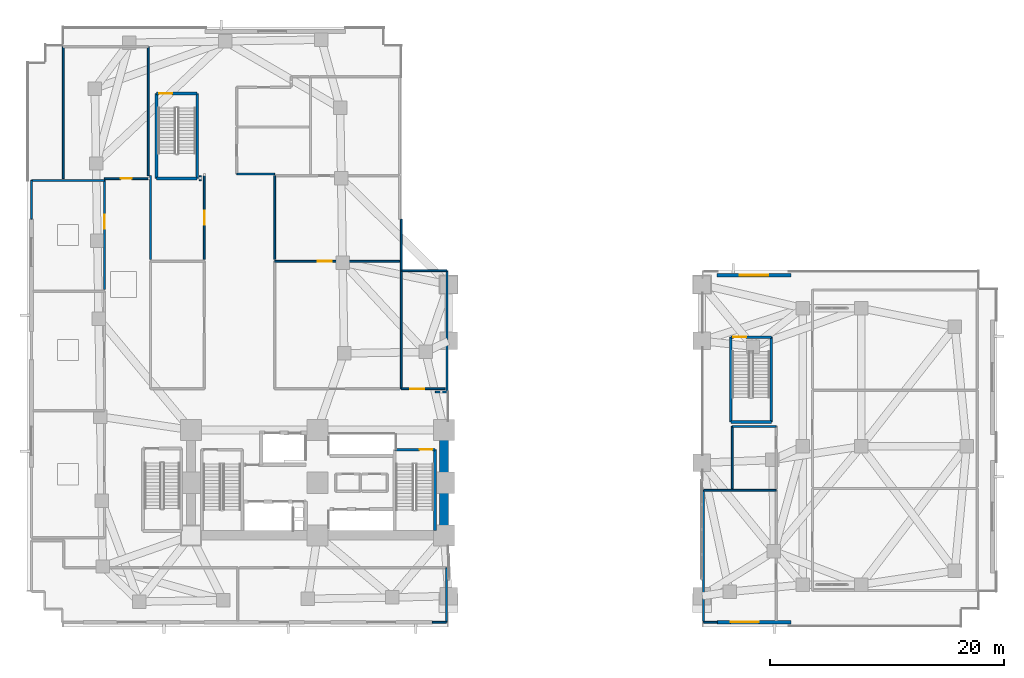
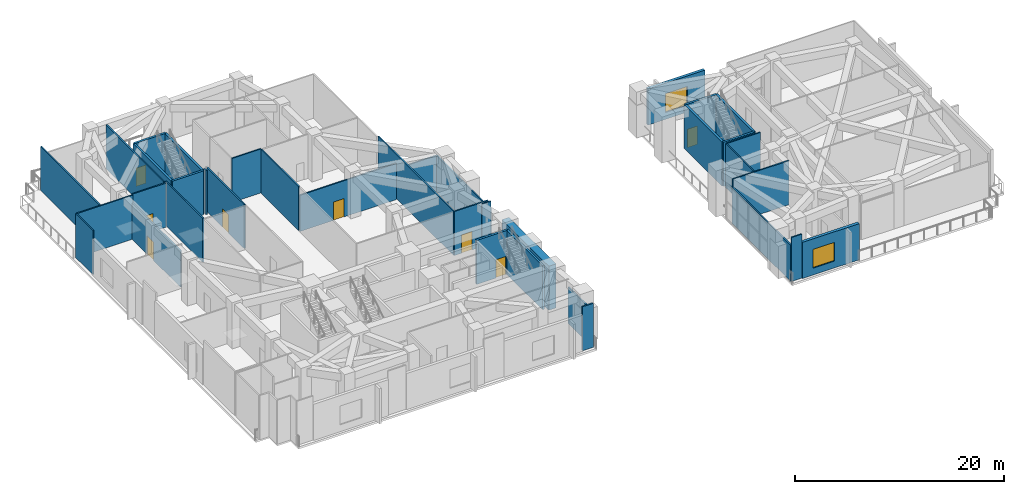
# One storey, part 9 of 18: 37 walls, 8 doors, 2 windows, 10 openings.
"""IFC4 building model written with IfcOpenShell, lengths in metres."""

from ifc_helpers import new_model, si_unit, direction, frame, frame_2d, origin, place, context, subcontext, project, spatial, rectangle, extrude, material, layer, layer_set, type_object, element, fill, save


model = new_model("IFC4")

# Units and contexts
model_context = context("Model", 3, precision=1e-05, world=origin(), true_north=direction((0.0, 1.0)))
body_context = subcontext(model_context, "Body", "Model", "MODEL_VIEW")
ifc_project = project(units=[si_unit("LENGTHUNIT", "METRE"), si_unit("AREAUNIT", "SQUARE_METRE"), si_unit("VOLUMEUNIT", "CUBIC_METRE"), si_unit("PLANEANGLEUNIT", "RADIAN"), si_unit("MASSUNIT", "GRAM", prefix="KILO")], contexts=[model_context])

# Site, building, storey
site_placement = place(None, origin())
site = spatial("IfcSite", under=ifc_project, at=site_placement, CompositionType="ELEMENT")
building_placement = place(site_placement, origin())
building = spatial("IfcBuilding", under=site, at=building_placement, Name="Gaonmaruhae Medical Tower", CompositionType="ELEMENT")
storey_placement = place(building_placement, frame((0.0, 0.0, 10.800048828125)))
storey = spatial("IfcBuildingStorey", under=building, at=storey_placement, Name="L02", CompositionType="ELEMENT", Elevation=10.800048828125)

# Wall
ifc_material_1 = material(Name="Concrete C60/75", Category="concrete")
ifc_layer_1 = layer(ifc_material_1, 0.800048828125)
ifc_layer_set_1 = layer_set([ifc_layer_1], Name="Concrete C60/75")
wall_type_1 = type_object("IfcWallType", Name="CW-800 Lower Core Shear Wall", PredefinedType="SHEAR", material=ifc_layer_set_1)
wall_1_placement = place(storey_placement, frame((35.60009765625, 7.800048828125, 0.0), z_axis=(0.0, 0.0, 1.0), x_axis=(0.0, 1.0, 0.0)))
element("IfcWall", 1, at=wall_1_placement, inside=storey, type_object=wall_type_1, Name="L02 Core Shear Wall CSW-E1", PredefinedType="SHEAR", context=body_context, shape_type="SweptSolid", body=[
    extrude(rectangle(XDim=9.0, YDim=0.800048828125, at=frame_2d((4.5, 0.0))), origin(), (0.0, 0.0, 1.0), 5.14990234375),
])

# Wall, opening, window
ifc_material_2 = material(Name="Precast concrete C45/55", Category="concrete")
ifc_layer_2 = layer(ifc_material_2, 0.320068359375)
ifc_layer_set_2 = layer_set([ifc_layer_2], Name="Precast concrete C45/55")
wall_type_2 = type_object("IfcWallType", Name="EW-320 Lower Precast Masonry-Frame Facade Wall", PredefinedType="SOLIDWALL", material=ifc_layer_set_2)
wall_2_placement = place(storey_placement, frame((65.199951171875, 0.39990234375, 0.0), z_axis=(0.0, 0.0, 1.0), x_axis=(-1.0, 0.0, 0.0)))
wall_2 = element("IfcWall", 2, at=wall_2_placement, inside=storey, type_object=wall_type_2, Name="L02 Precast Facade Wall PB-S4", PredefinedType="SOLIDWALL", context=body_context, shape_type="SweptSolid", body=[
    extrude(rectangle(XDim=6.300048828125, YDim=0.320068359375, at=frame_2d((3.14990234375, 0.0))), origin(), (0.0, 0.0, 1.0), 4.22998046875),
])
opening_1_placement = place(wall_2_placement, frame((2.739990234375, 0.0, 0.800048828125)))
opening_1 = element("IfcOpeningElement", 3, at=opening_1_placement, cuts=wall_2, Name="Opening WN-06", PredefinedType="OPENING", context=body_context, shape_type="SweptSolid", body=[
    extrude(rectangle(XDim=2.39990234375, YDim=2.199951171875, at=frame_2d((1.199951171875, 1.10009765625))), frame((0.0, 0.169921875, 0.0), z_axis=(0.0, -1.0, 0.0), x_axis=(1.0, 0.0, 0.0)), (0.0, 0.0, 1.0), 0.340087890625),
])
ifc_material_3 = material(Name="Anodised aluminium and Low-E double glazing", Category="aluminium")
window_type = type_object("IfcWindowType", Name="WN-06 Podium Diagnostic Punched Window 2400x2200", PartitioningType="SINGLE_PANEL", PredefinedType="WINDOW", material=ifc_material_3)
window_1_placement = place(opening_1_placement, origin())
window_1 = element("IfcWindow", 4, at=window_1_placement, inside=storey, type_object=window_type, Name="L02 Podium Punched Window PB-S4", OverallHeight=2.199951171875, OverallWidth=2.39990234375, PartitioningType="SINGLE_PANEL", PredefinedType="WINDOW", context=body_context, shape_type="SweptSolid", body=[
    extrude(rectangle(XDim=2.39990234375, YDim=2.199951171875, at=frame_2d((1.199951171875, 1.10009765625))), frame((0.0, 0.030029296875, 0.0), z_axis=(0.0, -1.0, 0.0), x_axis=(1.0, 0.0, 0.0)), (0.0, 0.0, 1.0), 0.06005859375),
])
fill(opening_1, window_1)

wall_3_placement = place(storey_placement, frame((58.89990234375, 30.0, 0.0), z_axis=(0.0, 0.0, 1.0), x_axis=(1.0, 0.0, 0.0)))
wall_3 = element("IfcWall", 5, at=wall_3_placement, inside=storey, type_object=wall_type_2, Name="L02 Precast Facade Wall PB-N1", PredefinedType="SOLIDWALL", context=body_context, shape_type="SweptSolid", body=[
    extrude(rectangle(XDim=6.300048828125, YDim=0.320068359375, at=frame_2d((3.14990234375, 0.0))), origin(), (0.0, 0.0, 1.0), 4.22998046875),
])
opening_2_placement = place(wall_3_placement, frame((1.949951171875, 0.0, 0.800048828125)))
opening_2 = element("IfcOpeningElement", 6, at=opening_2_placement, cuts=wall_3, Name="Opening WN-06", PredefinedType="OPENING", context=body_context, shape_type="SweptSolid", body=[
    extrude(rectangle(XDim=2.39990234375, YDim=2.199951171875, at=frame_2d((1.199951171875, 1.10009765625))), frame((0.0, 0.169921875, 0.0), z_axis=(0.0, -1.0, 0.0), x_axis=(1.0, 0.0, 0.0)), (0.0, 0.0, 1.0), 0.340087890625),
])
window_2_placement = place(opening_2_placement, origin())
window_2 = element("IfcWindow", 7, at=window_2_placement, inside=storey, type_object=window_type, Name="L02 Podium Punched Window PB-N1", OverallHeight=2.199951171875, OverallWidth=2.39990234375, PartitioningType="SINGLE_PANEL", PredefinedType="WINDOW", context=body_context, shape_type="SweptSolid", body=[
    extrude(rectangle(XDim=2.39990234375, YDim=2.199951171875, at=frame_2d((1.199951171875, 1.10009765625))), frame((0.0, 0.030029296875, 0.0), z_axis=(0.0, -1.0, 0.0), x_axis=(1.0, 0.0, 0.0)), (0.0, 0.0, 1.0), 0.06005859375),
])
fill(opening_2, window_2)

# Wall
ifc_material_4 = material(Name="Gypsum board partition", Category="gypsum")
ifc_layer_3 = layer(ifc_material_4, 0.14990234375)
ifc_layer_set_3 = layer_set([ifc_layer_3], Name="Gypsum board partition")
wall_type_3 = type_object("IfcWallType", Name="PW-150 Rated Clinical Corridor Partition", PredefinedType="PARTITIONING", material=ifc_layer_set_3)
wall_4_placement = place(storey_placement, frame((0.39990234375, 38.10009765625, 0.0), z_axis=(0.0, 0.0, 1.0), x_axis=(1.0, 0.0, 0.0)))
element("IfcWall", 8, at=wall_4_placement, inside=storey, type_object=wall_type_3, Name="L02 Interior Partition L02-WP3-15", PredefinedType="PARTITIONING", context=body_context, shape_type="SweptSolid", body=[
    extrude(rectangle(XDim=6.22021484375, YDim=0.14990234375, at=frame_2d((3.110107421875, 0.0))), origin(), (0.0, 0.0, 1.0), 5.14990234375),
])

# Wall, opening, door
wall_5_placement = place(storey_placement, frame((6.6201171875, 38.10009765625, 0.0), z_axis=(0.0, 0.0, 1.0), x_axis=(0.0, -1.0, 0.0)))
wall_5 = element("IfcWall", 9, at=wall_5_placement, inside=storey, type_object=wall_type_3, Name="L02 Interior Partition L02-WP3-16", PredefinedType="PARTITIONING", context=body_context, shape_type="SweptSolid", body=[
    extrude(rectangle(XDim=9.300048828125, YDim=0.14990234375, at=frame_2d((4.64990234375, 0.0))), origin(), (0.0, 0.0, 1.0), 4.23486328125),
])
opening_3_placement = place(wall_5_placement, frame((2.9189453125, 0.0, 0.0)))
opening_3 = element("IfcOpeningElement", 10, at=opening_3_placement, cuts=wall_5, Name="Opening CD-02", PredefinedType="OPENING", context=body_context, shape_type="SweptSolid", body=[
    extrude(rectangle(XDim=1.199951171875, YDim=2.14990234375, at=frame_2d((0.60009765625, 1.074951171875))), frame((0.0, 0.0849609375, 0.0), z_axis=(0.0, -1.0, 0.0), x_axis=(1.0, 0.0, 0.0)), (0.0, 0.0, 1.0), 0.169921875),
])
ifc_material_5 = material(Name="Antimicrobial laminate timber fire door", Category="wood")
door_type_1 = type_object("IfcDoorType", Name="CD-02 Clinical Treatment & Procedure Door 1200x2150", OperationType="NOTDEFINED", PredefinedType="DOOR", material=ifc_material_5)
door_1_placement = place(opening_3_placement, origin())
door_1 = element("IfcDoor", 11, at=door_1_placement, inside=storey, type_object=door_type_1, Name="L02 L02 Rehabilitation Physiotherapy Suite Door", OperationType="SINGLE_SWING_LEFT", OverallHeight=2.14990234375, OverallWidth=1.199951171875, PredefinedType="DOOR", context=body_context, shape_type="SweptSolid", body=[
    extrude(rectangle(XDim=1.199951171875, YDim=2.14990234375, at=frame_2d((0.60009765625, 1.074951171875))), frame((0.0, 0.02490234375, 0.0), z_axis=(0.0, -1.0, 0.0), x_axis=(1.0, 0.0, 0.0)), (0.0, 0.0, 1.0), 0.050048828125),
])
fill(opening_3, door_1)

# Walls
wall_6_placement = place(storey_placement, frame((0.39990234375, 34.800048828125, 0.0), z_axis=(0.0, 0.0, 1.0), x_axis=(0.0, 1.0, 0.0)))
element("IfcWall", 12, at=wall_6_placement, inside=storey, type_object=wall_type_3, Name="L02 Interior Partition L02-WP3-17", PredefinedType="PARTITIONING", context=body_context, shape_type="SweptSolid", body=[
    extrude(rectangle(XDim=3.300048828125, YDim=0.14990234375, at=frame_2d((1.64990234375, 0.0))), origin(), (0.0, 0.0, 1.0), 5.14990234375),
])
wall_7_placement = place(storey_placement, frame((35.85009765625, 30.39990234375, 0.0), z_axis=(0.0, 0.0, 1.0), x_axis=(0.0, -1.0, 0.0)))
element("IfcWall", 13, at=wall_7_placement, inside=storey, type_object=wall_type_3, Name="L02 Interior Partition L02-WP4-18", PredefinedType="PARTITIONING", context=body_context, shape_type="SweptSolid", body=[
    extrude(rectangle(XDim=10.349853515625, YDim=0.14990234375, at=frame_2d((5.1748046875, 0.0))), origin(), (0.0, 0.0, 1.0), 4.23486328125),
])
wall_8_placement = place(storey_placement, frame((35.85009765625, 20.050048828125, 0.0), z_axis=(0.0, 0.0, 1.0), x_axis=(-1.0, 0.0, 0.0)))
element("IfcWall", 14, at=wall_8_placement, inside=storey, type_object=wall_type_3, Name="L02 Interior Partition L02-WP4-19", PredefinedType="PARTITIONING", context=body_context, shape_type="SweptSolid", body=[
    extrude(rectangle(XDim=0.989990234375, YDim=0.14990234375, at=frame_2d((0.4951171875, 0.0))), origin(), (0.0, 0.0, 1.0), 5.14990234375),
])

# Wall, opening, door
wall_9_placement = place(storey_placement, frame((35.68994140625, 20.31005859375, 0.0), z_axis=(0.0, 0.0, 1.0), x_axis=(-1.0, 0.0, 0.0)))
wall_9 = element("IfcWall", 15, at=wall_9_placement, inside=storey, type_object=wall_type_3, Name="L02 Interior Partition L02-WP4-20", PredefinedType="PARTITIONING", context=body_context, shape_type="SweptSolid", body=[
    extrude(rectangle(XDim=3.739990234375, YDim=0.14990234375, at=frame_2d((1.8701171875, 0.0))), origin(), (0.0, 0.0, 1.0), 5.14990234375),
])
opening_4_placement = place(wall_9_placement, frame((1.7919921875, 0.0, 0.0)))
opening_4 = element("IfcOpeningElement", 16, at=opening_4_placement, cuts=wall_9, Name="Opening CD-02", PredefinedType="OPENING", context=body_context, shape_type="SweptSolid", body=[
    extrude(rectangle(XDim=1.199951171875, YDim=2.14990234375, at=frame_2d((0.60009765625, 1.074951171875))), frame((0.0, 0.0849609375, 0.0), z_axis=(0.0, -1.0, 0.0), x_axis=(1.0, 0.0, 0.0)), (0.0, 0.0, 1.0), 0.169921875),
])
door_2_placement = place(opening_4_placement, origin())
door_2 = element("IfcDoor", 17, at=door_2_placement, inside=storey, type_object=door_type_1, Name="L02 L02 Outpatient Ultrasound Room Door", OperationType="SINGLE_SWING_RIGHT", OverallHeight=2.14990234375, OverallWidth=1.199951171875, PredefinedType="DOOR", context=body_context, shape_type="SweptSolid", body=[
    extrude(rectangle(XDim=1.199951171875, YDim=2.14990234375, at=frame_2d((0.60009765625, 1.074951171875))), frame((0.0, 0.02490234375, 0.0), z_axis=(0.0, -1.0, 0.0), x_axis=(1.0, 0.0, 0.0)), (0.0, 0.0, 1.0), 0.050048828125),
])
fill(opening_4, door_2)

# Walls
wall_10_placement = place(storey_placement, frame((31.949951171875, 20.31005859375, 0.0), z_axis=(0.0, 0.0, 1.0), x_axis=(0.0, 1.0, 0.0)))
element("IfcWall", 18, at=wall_10_placement, inside=storey, type_object=wall_type_3, Name="L02 Interior Partition L02-WP4-21", PredefinedType="PARTITIONING", context=body_context, shape_type="SweptSolid", body=[
    extrude(rectangle(XDim=14.489990234375, YDim=0.14990234375, at=frame_2d((7.2451171875, 0.0))), origin(), (0.0, 0.0, 1.0), 5.14990234375),
])
wall_11_placement = place(storey_placement, frame((32.0, 30.39990234375, 0.0), z_axis=(0.0, 0.0, 1.0), x_axis=(1.0, 0.0, 0.0)))
element("IfcWall", 19, at=wall_11_placement, inside=storey, type_object=wall_type_3, Name="L02 Interior Partition L02-WP4-22", PredefinedType="PARTITIONING", context=body_context, shape_type="SweptSolid", body=[
    extrude(rectangle(XDim=3.85009765625, YDim=0.14990234375, at=frame_2d((1.925048828125, 0.0))), origin(), (0.0, 0.0, 1.0), 4.23486328125),
])
wall_12_placement = place(storey_placement, frame((57.75, 11.64990234375, 0.0), z_axis=(0.0, 0.0, 1.0), x_axis=(1.0, 0.0, 0.0)))
element("IfcWall", 20, at=wall_12_placement, inside=storey, type_object=wall_type_3, Name="L02 Interior Partition L02-EA4-33", PredefinedType="PARTITIONING", context=body_context, shape_type="SweptSolid", body=[
    extrude(rectangle(XDim=6.199951171875, YDim=0.14990234375, at=frame_2d((3.10009765625, 0.0))), origin(), (0.0, 0.0, 1.0), 5.14990234375),
])
wall_13_placement = place(storey_placement, frame((58.89990234375, 0.39990234375, 0.0), z_axis=(0.0, 0.0, 1.0), x_axis=(-1.0, 0.0, 0.0)))
element("IfcWall", 21, at=wall_13_placement, inside=storey, type_object=wall_type_3, Name="L02 Interior Partition L02-EA4-35", PredefinedType="PARTITIONING", context=body_context, shape_type="SweptSolid", body=[
    extrude(rectangle(XDim=1.14990234375, YDim=0.14990234375, at=frame_2d((0.574951171875, 0.0))), origin(), (0.0, 0.0, 1.0), 5.14990234375),
])
wall_14_placement = place(storey_placement, frame((57.75, 0.39990234375, 0.0), z_axis=(0.0, 0.0, 1.0), x_axis=(0.0, 1.0, 0.0)))
element("IfcWall", 22, at=wall_14_placement, inside=storey, type_object=wall_type_3, Name="L02 Interior Partition L02-EA4-36", PredefinedType="PARTITIONING", context=body_context, shape_type="SweptSolid", body=[
    extrude(rectangle(XDim=11.25, YDim=0.14990234375, at=frame_2d((5.625, 0.0))), origin(), (0.0, 0.0, 1.0), 4.23486328125),
])
wall_15_placement = place(storey_placement, frame((60.199951171875, 17.10009765625, 0.0), z_axis=(0.0, 0.0, 1.0), x_axis=(1.0, 0.0, 0.0)))
element("IfcWall", 23, at=wall_15_placement, inside=storey, type_object=wall_type_3, Name="L02 Interior Partition L02-EAW-37", PredefinedType="PARTITIONING", context=body_context, shape_type="SweptSolid", body=[
    extrude(rectangle(XDim=3.75, YDim=0.14990234375, at=frame_2d((1.875, 0.0))), origin(), (0.0, 0.0, 1.0), 5.14990234375),
])
wall_16_placement = place(storey_placement, frame((60.199951171875, 11.800048828125, 0.0), z_axis=(0.0, 0.0, 1.0), x_axis=(0.0, 1.0, 0.0)))
element("IfcWall", 24, at=wall_16_placement, inside=storey, type_object=wall_type_3, Name="L02 Interior Partition L02-EAW-39", PredefinedType="PARTITIONING", context=body_context, shape_type="SweptSolid", body=[
    extrude(rectangle(XDim=5.300048828125, YDim=0.14990234375, at=frame_2d((2.64990234375, 0.0))), origin(), (0.0, 0.0, 1.0), 5.14990234375),
])
wall_17_placement = place(storey_placement, frame((35.800048828125, 0.39990234375, 0.0), z_axis=(0.0, 0.0, 1.0), x_axis=(-1.0, 0.0, 0.0)))
element("IfcWall", 25, at=wall_17_placement, inside=storey, type_object=wall_type_3, Name="L02 Interior Partition L02-D2-51", PredefinedType="PARTITIONING", context=body_context, shape_type="SweptSolid", body=[
    extrude(rectangle(XDim=1.199951171875, YDim=0.14990234375, at=frame_2d((0.60009765625, 0.0))), origin(), (0.0, 0.0, 1.0), 5.14990234375),
])
wall_18_placement = place(storey_placement, frame((35.800048828125, 5.0400390625, 0.0), z_axis=(0.0, 0.0, 1.0), x_axis=(0.0, -1.0, 0.0)))
element("IfcWall", 26, at=wall_18_placement, inside=storey, type_object=wall_type_3, Name="L02 Interior Partition L02-D2-54", PredefinedType="PARTITIONING", context=body_context, shape_type="SweptSolid", body=[
    extrude(rectangle(XDim=4.64013671875, YDim=0.14990234375, at=frame_2d((2.320068359375, 0.0))), origin(), (0.0, 0.0, 1.0), 4.23486328125),
])

# Wall, opening, door
wall_19_placement = place(storey_placement, frame((21.14990234375, 31.199951171875, 0.0), z_axis=(0.0, 0.0, 1.0), x_axis=(1.0, 0.0, 0.0)))
wall_19 = element("IfcWall", 27, at=wall_19_placement, inside=storey, type_object=wall_type_3, Name="L02 Interior Partition L02-D4-59", PredefinedType="PARTITIONING", context=body_context, shape_type="SweptSolid", body=[
    extrude(rectangle(XDim=10.650146484375, YDim=0.14990234375, at=frame_2d((5.3251953125, 0.0))), origin(), (0.0, 0.0, 1.0), 4.23486328125),
])
opening_5_placement = place(wall_19_placement, frame((3.658203125, 0.0, 0.0)))
opening_5 = element("IfcOpeningElement", 28, at=opening_5_placement, cuts=wall_19, Name="Opening CD-02", PredefinedType="OPENING", context=body_context, shape_type="SweptSolid", body=[
    extrude(rectangle(XDim=1.199951171875, YDim=2.14990234375, at=frame_2d((0.60009765625, 1.074951171875))), frame((0.0, 0.0849609375, 0.0), z_axis=(0.0, -1.0, 0.0), x_axis=(1.0, 0.0, 0.0)), (0.0, 0.0, 1.0), 0.169921875),
])
door_3_placement = place(opening_5_placement, origin())
door_3 = element("IfcDoor", 29, at=door_3_placement, inside=storey, type_object=door_type_1, Name="L02 Outpatient Phlebotomy Laboratory Sliding Door", OperationType="SLIDING_TO_LEFT", OverallHeight=2.14990234375, OverallWidth=1.199951171875, PredefinedType="DOOR", context=body_context, shape_type="SweptSolid", body=[
    extrude(rectangle(XDim=1.199951171875, YDim=2.14990234375, at=frame_2d((0.60009765625, 1.074951171875))), frame((0.0, 0.02490234375, 0.0), z_axis=(0.0, -1.0, 0.0), x_axis=(1.0, 0.0, 0.0)), (0.0, 0.0, 1.0), 0.050048828125),
])
fill(opening_5, door_3)

# Walls
wall_20_placement = place(storey_placement, frame((10.550048828125, 31.35009765625, 0.0), z_axis=(0.0, 0.0, 1.0), x_axis=(0.0, 1.0, 0.0)))
element("IfcWall", 30, at=wall_20_placement, inside=storey, type_object=wall_type_3, Name="L02 Interior Partition L02-D5-62", PredefinedType="PARTITIONING", context=body_context, shape_type="SweptSolid", body=[
    extrude(rectangle(XDim=7.14990234375, YDim=0.14990234375, at=frame_2d((3.574951171875, 0.0))), origin(), (0.0, 0.0, 1.0), 5.14990234375),
])
wall_21_placement = place(storey_placement, frame((14.800048828125, 38.050048828125, 0.0), z_axis=(0.0, 0.0, 1.0), x_axis=(0.0, 1.0, 0.0)))
element("IfcWall", 31, at=wall_21_placement, inside=storey, type_object=wall_type_3, Name="L02 Interior Partition L02-D5-63", PredefinedType="PARTITIONING", context=body_context, shape_type="SweptSolid", body=[
    extrude(rectangle(XDim=0.449951171875, YDim=0.14990234375, at=frame_2d((0.22509765625, 0.0))), origin(), (0.0, 0.0, 1.0), 5.14990234375),
])

# Wall, opening, door
wall_22_placement = place(storey_placement, frame((15.139892578125, 38.5, 0.0), z_axis=(0.0, 0.0, 1.0), x_axis=(0.0, -1.0, 0.0)))
wall_22 = element("IfcWall", 32, at=wall_22_placement, inside=storey, type_object=wall_type_3, Name="L02 Interior Partition L02-D5-64", PredefinedType="PARTITIONING", context=body_context, shape_type="SweptSolid", body=[
    extrude(rectangle(XDim=7.14990234375, YDim=0.14990234375, at=frame_2d((3.574951171875, 0.0))), origin(), (0.0, 0.0, 1.0), 5.14990234375),
])
opening_6_placement = place(wall_22_placement, frame((2.97509765625, 0.0, 0.0)))
opening_6 = element("IfcOpeningElement", 33, at=opening_6_placement, cuts=wall_22, Name="Opening CD-02", PredefinedType="OPENING", context=body_context, shape_type="SweptSolid", body=[
    extrude(rectangle(XDim=1.199951171875, YDim=2.14990234375, at=frame_2d((0.60009765625, 1.074951171875))), frame((0.0, 0.0849609375, 0.0), z_axis=(0.0, -1.0, 0.0), x_axis=(1.0, 0.0, 0.0)), (0.0, 0.0, 1.0), 0.169921875),
])
door_4_placement = place(opening_6_placement, origin())
door_4 = element("IfcDoor", 34, at=door_4_placement, inside=storey, type_object=door_type_1, Name="L02 Cardiopulmonary Diagnostic Suite Door", OperationType="SINGLE_SWING_RIGHT", OverallHeight=2.14990234375, OverallWidth=1.199951171875, PredefinedType="DOOR", context=body_context, shape_type="SweptSolid", body=[
    extrude(rectangle(XDim=1.199951171875, YDim=2.14990234375, at=frame_2d((0.60009765625, 1.074951171875))), frame((0.0, 0.02490234375, 0.0), z_axis=(0.0, -1.0, 0.0), x_axis=(1.0, 0.0, 0.0)), (0.0, 0.0, 1.0), 0.050048828125),
])
fill(opening_6, door_4)

# Walls
wall_23_placement = place(storey_placement, frame((21.14990234375, 31.35009765625, 0.0), z_axis=(0.0, 0.0, 1.0), x_axis=(0.0, 1.0, 0.0)))
element("IfcWall", 35, at=wall_23_placement, inside=storey, type_object=wall_type_3, Name="L02 Interior Partition L02-D6-67", PredefinedType="PARTITIONING", context=body_context, shape_type="SweptSolid", body=[
    extrude(rectangle(XDim=7.14990234375, YDim=0.14990234375, at=frame_2d((3.574951171875, 0.0))), origin(), (0.0, 0.0, 1.0), 5.14990234375),
])
wall_24_placement = place(storey_placement, frame((21.14990234375, 38.64990234375, 0.0), z_axis=(0.0, 0.0, 1.0), x_axis=(-1.0, 0.0, 0.0)))
element("IfcWall", 36, at=wall_24_placement, inside=storey, type_object=wall_type_3, Name="L02 Interior Partition L02-WC-71", PredefinedType="PARTITIONING", context=body_context, shape_type="SweptSolid", body=[
    extrude(rectangle(XDim=3.239990234375, YDim=0.14990234375, at=frame_2d((1.6201171875, 0.0))), origin(), (0.0, 0.0, 1.0), 5.14990234375),
])

# Wall, opening, door
wall_25_placement = place(storey_placement, frame((10.35009765625, 38.25, 0.0), z_axis=(0.0, 0.0, 1.0), x_axis=(-1.0, 0.0, 0.0)))
wall_25 = element("IfcWall", 37, at=wall_25_placement, inside=storey, type_object=wall_type_3, Name="L02 Interior Partition L02-HSK-78", PredefinedType="PARTITIONING", context=body_context, shape_type="SweptSolid", body=[
    extrude(rectangle(XDim=3.72998046875, YDim=0.14990234375, at=frame_2d((1.864990234375, 0.0))), origin(), (0.0, 0.0, 1.0), 5.14990234375),
])
opening_7_placement = place(wall_25_placement, frame((1.405029296875, 0.0, 0.0)))
opening_7 = element("IfcOpeningElement", 38, at=opening_7_placement, cuts=wall_25, Name="Opening UD-01", PredefinedType="OPENING", context=body_context, shape_type="SweptSolid", body=[
    extrude(rectangle(XDim=0.919921875, YDim=2.10009765625, at=frame_2d((0.4599609375, 1.050048828125))), frame((0.0, 0.0849609375, 0.0), z_axis=(0.0, -1.0, 0.0), x_axis=(1.0, 0.0, 0.0)), (0.0, 0.0, 1.0), 0.169921875),
])
ifc_material_6 = material(Name="Powder-coated steel utility door", Category="steel")
door_type_2 = type_object("IfcDoorType", Name="UD-01 Toilet, Utility & Housekeeping Door 920x2100", OperationType="NOTDEFINED", PredefinedType="DOOR", material=ifc_material_6)
door_5_placement = place(opening_7_placement, origin())
door_5 = element("IfcDoor", 39, at=door_5_placement, inside=storey, type_object=door_type_2, Name="L02 L02 Department Housekeeping Room Door", OperationType="SINGLE_SWING_LEFT", OverallHeight=2.10009765625, OverallWidth=0.919921875, PredefinedType="DOOR", context=body_context, shape_type="SweptSolid", body=[
    extrude(rectangle(XDim=0.919921875, YDim=2.10009765625, at=frame_2d((0.4599609375, 1.050048828125))), frame((0.0, 0.02490234375, 0.0), z_axis=(0.0, -1.0, 0.0), x_axis=(1.0, 0.0, 0.0)), (0.0, 0.0, 1.0), 0.050048828125),
])
fill(opening_7, door_5)

# Walls
wall_26_placement = place(storey_placement, frame((3.10009765625, 38.25, 0.0), z_axis=(0.0, 0.0, 1.0), x_axis=(0.0, 1.0, 0.0)))
element("IfcWall", 40, at=wall_26_placement, inside=storey, type_object=wall_type_3, Name="L02 Interior Partition L02-HSK-79", PredefinedType="PARTITIONING", context=body_context, shape_type="SweptSolid", body=[
    extrude(rectangle(XDim=11.25, YDim=0.14990234375, at=frame_2d((5.625, 0.0))), origin(), (0.0, 0.0, 1.0), 5.14990234375),
])
wall_27_placement = place(storey_placement, frame((10.35009765625, 49.5, 0.0), z_axis=(0.0, 0.0, 1.0), x_axis=(0.0, -1.0, 0.0)))
element("IfcWall", 41, at=wall_27_placement, inside=storey, type_object=wall_type_3, Name="L02 Interior Partition L02-HSK-81", PredefinedType="PARTITIONING", context=body_context, shape_type="SweptSolid", body=[
    extrude(rectangle(XDim=11.0, YDim=0.14990234375, at=frame_2d((5.5, 0.0))), origin(), (0.0, 0.0, 1.0), 5.14990234375),
])

# Wall, opening, door
ifc_material_7 = material(Name="Concrete C50/60", Category="concrete")
ifc_layer_4 = layer(ifc_material_7, 0.239990234375)
ifc_layer_set_4 = layer_set([ifc_layer_4], Name="Concrete C50/60")
wall_type_4 = type_object("IfcWallType", Name="SW-240 Dogleg Stair Tight Shaft Wall", PredefinedType="SOLIDWALL", material=ifc_layer_set_4)
wall_28_placement = place(storey_placement, frame((31.3701171875, 15.1201171875, 0.0), z_axis=(0.0, 0.0, 1.0), x_axis=(1.0, 0.0, 0.0)))
wall_28 = element("IfcWall", 42, at=wall_28_placement, inside=storey, type_object=wall_type_4, Name="L02 ST-02 Stair Shaft Wall SHW-ST-02-N", PredefinedType="SOLIDWALL", context=body_context, shape_type="SweptSolid", body=[
    extrude(rectangle(XDim=3.4599609375, YDim=0.239990234375, at=frame_2d((1.72998046875, 0.0))), origin(), (0.0, 0.0, 1.0), 5.14990234375),
])
opening_8_placement = place(wall_28_placement, frame((2.139892578125, 0.0, 0.0)))
opening_8 = element("IfcOpeningElement", 43, at=opening_8_placement, cuts=wall_28, Name="Opening FD-01", PredefinedType="OPENING", context=body_context, shape_type="SweptSolid", body=[
    extrude(rectangle(XDim=1.10009765625, YDim=2.14990234375, at=frame_2d((0.550048828125, 1.074951171875))), frame((0.0, 0.1298828125, 0.0), z_axis=(0.0, -1.0, 0.0), x_axis=(1.0, 0.0, 0.0)), (0.0, 0.0, 1.0), 0.260009765625),
])
ifc_material_8 = material(Name="Powder-coated steel fire door", Category="steel")
door_type_3 = type_object("IfcDoorType", Name="FD-01 Escape Stair Protected Fire Door 1100x2150", OperationType="NOTDEFINED", PredefinedType="DOOR", material=ifc_material_8)
door_6_placement = place(opening_8_placement, origin())
door_6 = element("IfcDoor", 44, at=door_6_placement, inside=storey, type_object=door_type_3, Name="L02 ST-02 Protected Escape Stair Door", OperationType="SINGLE_SWING_LEFT", OverallHeight=2.14990234375, OverallWidth=1.10009765625, PredefinedType="DOOR", context=body_context, shape_type="SweptSolid", body=[
    extrude(rectangle(XDim=1.10009765625, YDim=2.14990234375, at=frame_2d((0.550048828125, 1.074951171875))), frame((0.0, 0.02490234375, 0.0), z_axis=(0.0, -1.0, 0.0), x_axis=(1.0, 0.0, 0.0)), (0.0, 0.0, 1.0), 0.050048828125),
])
fill(opening_8, door_6)

# Wall
wall_29_placement = place(storey_placement, frame((34.830078125, 15.1201171875, 0.0), z_axis=(0.0, 0.0, 1.0), x_axis=(0.0, -1.0, 0.0)))
element("IfcWall", 45, at=wall_29_placement, inside=storey, type_object=wall_type_4, Name="L02 ST-02 Stair Shaft Wall SHW-ST-02-E", PredefinedType="SOLIDWALL", context=body_context, shape_type="SweptSolid", body=[
    extrude(rectangle(XDim=6.920166015625, YDim=0.239990234375, at=frame_2d((3.4599609375, 0.0))), origin(), (0.0, 0.0, 1.0), 5.14990234375),
])

# Wall, opening, door
wall_30_placement = place(storey_placement, frame((60.070068359375, 24.719970703125, 0.0), z_axis=(0.0, 0.0, 1.0), x_axis=(1.0, 0.0, 0.0)))
wall_30 = element("IfcWall", 46, at=wall_30_placement, inside=storey, type_object=wall_type_4, Name="L02 ST-04 Stair Shaft Wall SHW-ST-04-N", PredefinedType="SOLIDWALL", context=body_context, shape_type="SweptSolid", body=[
    extrude(rectangle(XDim=3.4599609375, YDim=0.239990234375, at=frame_2d((1.72998046875, 0.0))), origin(), (0.0, 0.0, 1.0), 5.14990234375),
])
opening_9_placement = place(wall_30_placement, frame((0.219970703125, 0.0, 0.0)))
opening_9 = element("IfcOpeningElement", 47, at=opening_9_placement, cuts=wall_30, Name="Opening FD-01", PredefinedType="OPENING", context=body_context, shape_type="SweptSolid", body=[
    extrude(rectangle(XDim=1.10009765625, YDim=2.14990234375, at=frame_2d((0.550048828125, 1.074951171875))), frame((0.0, 0.1298828125, 0.0), z_axis=(0.0, -1.0, 0.0), x_axis=(1.0, 0.0, 0.0)), (0.0, 0.0, 1.0), 0.260009765625),
])
door_7_placement = place(opening_9_placement, origin())
door_7 = element("IfcDoor", 48, at=door_7_placement, inside=storey, type_object=door_type_3, Name="L02 ST-04 Protected Escape Stair Door", OperationType="SINGLE_SWING_LEFT", OverallHeight=2.14990234375, OverallWidth=1.10009765625, PredefinedType="DOOR", context=body_context, shape_type="SweptSolid", body=[
    extrude(rectangle(XDim=1.10009765625, YDim=2.14990234375, at=frame_2d((0.550048828125, 1.074951171875))), frame((0.0, 0.02490234375, 0.0), z_axis=(0.0, -1.0, 0.0), x_axis=(1.0, 0.0, 0.0)), (0.0, 0.0, 1.0), 0.050048828125),
])
fill(opening_9, door_7)

# Walls
wall_31_placement = place(storey_placement, frame((63.530029296875, 24.719970703125, 0.0), z_axis=(0.0, 0.0, 1.0), x_axis=(0.0, -1.0, 0.0)))
element("IfcWall", 49, at=wall_31_placement, inside=storey, type_object=wall_type_4, Name="L02 ST-04 Stair Shaft Wall SHW-ST-04-E", PredefinedType="SOLIDWALL", context=body_context, shape_type="SweptSolid", body=[
    extrude(rectangle(XDim=7.25, YDim=0.239990234375, at=frame_2d((3.625, 0.0))), origin(), (0.0, 0.0, 1.0), 5.14990234375),
])
wall_32_placement = place(storey_placement, frame((63.530029296875, 17.469970703125, 0.0), z_axis=(0.0, 0.0, 1.0), x_axis=(-1.0, 0.0, 0.0)))
element("IfcWall", 50, at=wall_32_placement, inside=storey, type_object=wall_type_4, Name="L02 ST-04 Stair Shaft Wall SHW-ST-04-S", PredefinedType="SOLIDWALL", context=body_context, shape_type="SweptSolid", body=[
    extrude(rectangle(XDim=3.4599609375, YDim=0.239990234375, at=frame_2d((1.72998046875, 0.0))), origin(), (0.0, 0.0, 1.0), 5.14990234375),
])
wall_33_placement = place(storey_placement, frame((60.070068359375, 17.469970703125, 0.0), z_axis=(0.0, 0.0, 1.0), x_axis=(0.0, 1.0, 0.0)))
element("IfcWall", 51, at=wall_33_placement, inside=storey, type_object=wall_type_4, Name="L02 ST-04 Stair Shaft Wall SHW-ST-04-W", PredefinedType="SOLIDWALL", context=body_context, shape_type="SweptSolid", body=[
    extrude(rectangle(XDim=7.25, YDim=0.239990234375, at=frame_2d((3.625, 0.0))), origin(), (0.0, 0.0, 1.0), 5.14990234375),
])

# Wall, opening, door
wall_34_placement = place(storey_placement, frame((11.070068359375, 45.52001953125, 0.0), z_axis=(0.0, 0.0, 1.0), x_axis=(1.0, 0.0, 0.0)))
wall_34 = element("IfcWall", 52, at=wall_34_placement, inside=storey, type_object=wall_type_4, Name="L02 ST-05 Stair Shaft Wall SHW-ST-05-N", PredefinedType="SOLIDWALL", context=body_context, shape_type="SweptSolid", body=[
    extrude(rectangle(XDim=3.4599609375, YDim=0.239990234375, at=frame_2d((1.72998046875, 0.0))), origin(), (0.0, 0.0, 1.0), 5.14990234375),
])
opening_10_placement = place(wall_34_placement, frame((0.219970703125, 0.0, 0.0)))
opening_10 = element("IfcOpeningElement", 53, at=opening_10_placement, cuts=wall_34, Name="Opening FD-01", PredefinedType="OPENING", context=body_context, shape_type="SweptSolid", body=[
    extrude(rectangle(XDim=1.10009765625, YDim=2.14990234375, at=frame_2d((0.550048828125, 1.074951171875))), frame((0.0, 0.1298828125, 0.0), z_axis=(0.0, -1.0, 0.0), x_axis=(1.0, 0.0, 0.0)), (0.0, 0.0, 1.0), 0.260009765625),
])
door_8_placement = place(opening_10_placement, origin())
door_8 = element("IfcDoor", 54, at=door_8_placement, inside=storey, type_object=door_type_3, Name="L02 ST-05 Protected Escape Stair Door", OperationType="SINGLE_SWING_RIGHT", OverallHeight=2.14990234375, OverallWidth=1.10009765625, PredefinedType="DOOR", context=body_context, shape_type="SweptSolid", body=[
    extrude(rectangle(XDim=1.10009765625, YDim=2.14990234375, at=frame_2d((0.550048828125, 1.074951171875))), frame((0.0, 0.02490234375, 0.0), z_axis=(0.0, -1.0, 0.0), x_axis=(1.0, 0.0, 0.0)), (0.0, 0.0, 1.0), 0.050048828125),
])
fill(opening_10, door_8)

# Walls
wall_35_placement = place(storey_placement, frame((14.530029296875, 45.52001953125, 0.0), z_axis=(0.0, 0.0, 1.0), x_axis=(0.0, -1.0, 0.0)))
element("IfcWall", 55, at=wall_35_placement, inside=storey, type_object=wall_type_4, Name="L02 ST-05 Stair Shaft Wall SHW-ST-05-E", PredefinedType="SOLIDWALL", context=body_context, shape_type="SweptSolid", body=[
    extrude(rectangle(XDim=7.25, YDim=0.239990234375, at=frame_2d((3.625, 0.0))), origin(), (0.0, 0.0, 1.0), 5.14990234375),
])
wall_36_placement = place(storey_placement, frame((14.530029296875, 38.27001953125, 0.0), z_axis=(0.0, 0.0, 1.0), x_axis=(-1.0, 0.0, 0.0)))
element("IfcWall", 56, at=wall_36_placement, inside=storey, type_object=wall_type_4, Name="L02 ST-05 Stair Shaft Wall SHW-ST-05-S", PredefinedType="SOLIDWALL", context=body_context, shape_type="SweptSolid", body=[
    extrude(rectangle(XDim=3.4599609375, YDim=0.239990234375, at=frame_2d((1.72998046875, 0.0))), origin(), (0.0, 0.0, 1.0), 5.14990234375),
])
wall_37_placement = place(storey_placement, frame((11.070068359375, 38.27001953125, 0.0), z_axis=(0.0, 0.0, 1.0), x_axis=(0.0, 1.0, 0.0)))
element("IfcWall", 57, at=wall_37_placement, inside=storey, type_object=wall_type_4, Name="L02 ST-05 Stair Shaft Wall SHW-ST-05-W", PredefinedType="SOLIDWALL", context=body_context, shape_type="SweptSolid", body=[
    extrude(rectangle(XDim=7.25, YDim=0.239990234375, at=frame_2d((3.625, 0.0))), origin(), (0.0, 0.0, 1.0), 5.14990234375),
])

save(model, "model.ifc")
